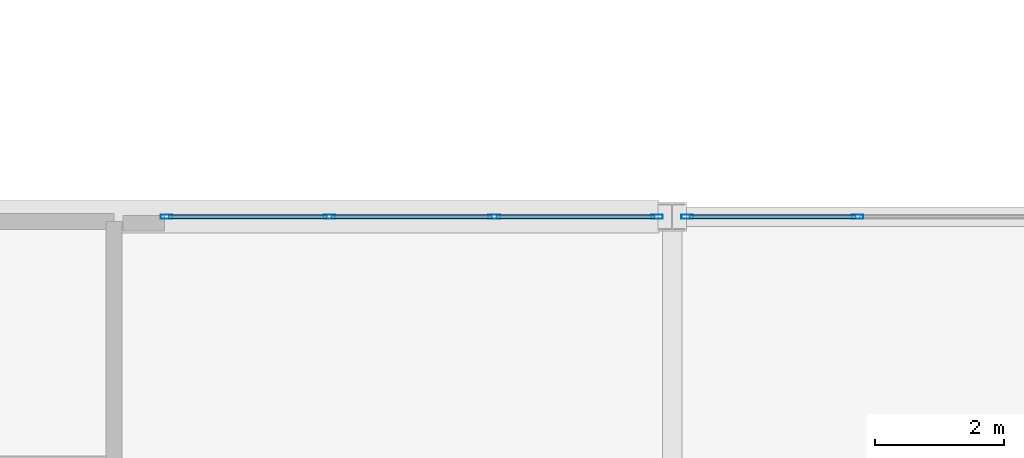
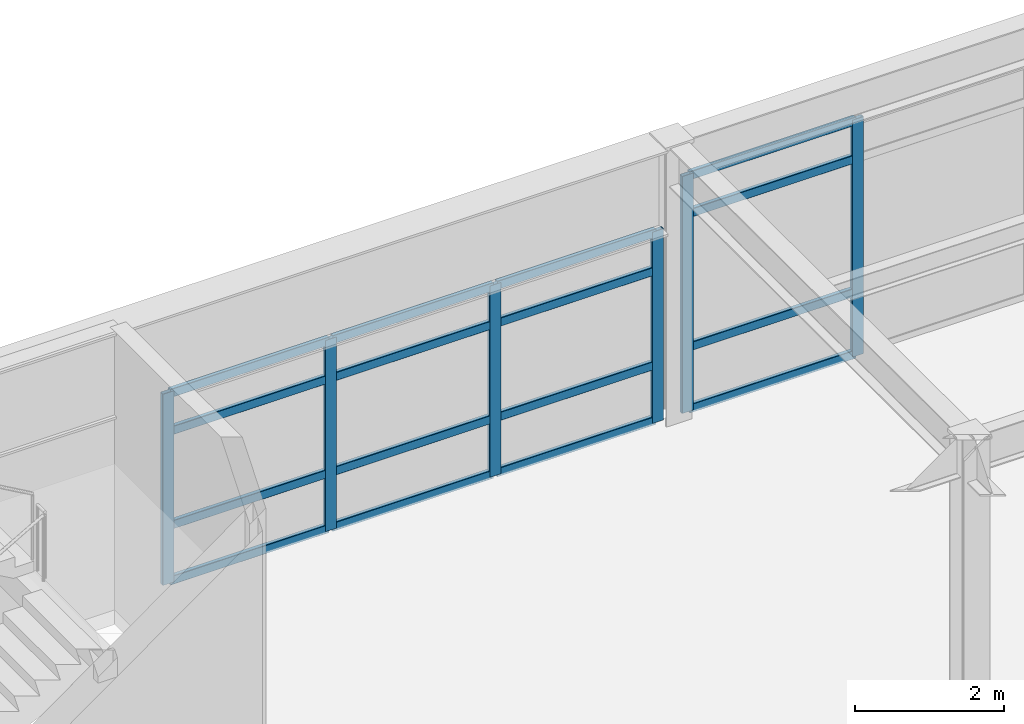
# One storey, part 36 of 93: 22 members, 2 elements without a shape of their own.
"""IFC4 building model written with IfcOpenShell, lengths in metres."""

from ifc_helpers import new_model, si_unit, direction, frame, origin, origin_2d, place, context, subcontext, project, spatial, hollow_rectangle, extrude, material, layer, layer_set, material_profile, profile_set, type_object, element, aggregate, save


model = new_model("IFC4")

# Units and contexts
model_context = context("Model", 3, precision=1e-05, world=origin(), true_north=direction((0.0, 1.0)))
body_context = subcontext(model_context, "Body", "Model", "MODEL_VIEW")
ifc_project = project(units=[si_unit("LENGTHUNIT", "METRE"), si_unit("AREAUNIT", "SQUARE_METRE"), si_unit("VOLUMEUNIT", "CUBIC_METRE"), si_unit("PLANEANGLEUNIT", "RADIAN"), si_unit("MASSUNIT", "GRAM", prefix="KILO")], contexts=[model_context])

# Site, building, storey
site_placement = place(None, origin())
site = spatial("IfcSite", under=ifc_project, at=site_placement, CompositionType="ELEMENT")
building_placement = place(site_placement, origin())
building = spatial("IfcBuilding", under=site, at=building_placement, Name="Kazehara Bluff Congress Hotel", CompositionType="ELEMENT")
storey_placement = place(building_placement, frame((0.0, 0.0, 15.0)))
storey = spatial("IfcBuildingStorey", under=building, at=storey_placement, Name="L03", CompositionType="ELEMENT", Elevation=15.0)

# Curtain wall, members
ifc_material_1 = material(Name="Anodised aluminium", Category="aluminium")
ifc_layer_1 = layer(ifc_material_1, 0.159912109375)
ifc_layer_set_1 = layer_set([ifc_layer_1], Name="Anodised aluminium")
curtain_wall_type_1 = type_object("IfcCurtainWallType", Name="TP-CW-75", PredefinedType="NOTDEFINED", material=ifc_layer_set_1)
curtain_wall_1_placement = place(storey_placement, origin())
curtain_wall_1 = element("IfcCurtainWall", 1, at=curtain_wall_1_placement, inside=storey, type_object=curtain_wall_type_1, Name="L03 curtain wall CW-75 CW-V4-L03-Y5645-8500", PredefinedType="NOTDEFINED")
ifc_material_2 = material(Name="Anodised aluminium", Category="aluminium")
ifc_material_profile_1 = material_profile(ifc_material_2, hollow_rectangle(XDim=0.06494140625, YDim=0.179931640625, WallThickness=0.00390625, InnerFilletRadius=0.00390625, OuterFilletRadius=0.008056640625, at=origin_2d()))
ifc_profile_set_1 = profile_set([ifc_material_profile_1], Name="Anodised aluminium")
member_type_1 = type_object("IfcMemberType", Name="TP-CWM-02", PredefinedType="MULLION", material=ifc_profile_set_1)
member_1_placement = place(storey_placement, frame((85.032470703125, 56.449951171875, 0.0), z_axis=(0.0, 0.0, 1.0), x_axis=(0.0, 1.0, 0.0)))
member_1 = element("IfcMember", 2, at=member_1_placement, type_object=member_type_1, Name="CW-75 mullion 1", PredefinedType="MULLION", context=body_context, shape_type="SweptSolid", body=[
    extrude(hollow_rectangle(XDim=0.06494140625, YDim=0.179931640625, WallThickness=0.00390625, InnerFilletRadius=0.00390625, OuterFilletRadius=0.008056640625, at=origin_2d()), origin(), (0.0, 0.0, 1.0), 3.135009765625),
])
member_2_placement = place(storey_placement, frame((87.550048828125, 56.449951171875, 0.0), z_axis=(0.0, 0.0, 1.0), x_axis=(0.0, 1.0, 0.0)))
member_2 = element("IfcMember", 3, at=member_2_placement, type_object=member_type_1, Name="CW-75 mullion 2", PredefinedType="MULLION", context=body_context, shape_type="SweptSolid", body=[
    extrude(hollow_rectangle(XDim=0.06494140625, YDim=0.179931640625, WallThickness=0.00390625, InnerFilletRadius=0.00390625, OuterFilletRadius=0.008056640625, at=origin_2d()), origin(), (0.0, 0.0, 1.0), 3.135009765625),
])
member_3_placement = place(storey_placement, frame((90.10009765625, 56.449951171875, 0.0), z_axis=(0.0, 0.0, 1.0), x_axis=(0.0, 1.0, 0.0)))
member_3 = element("IfcMember", 4, at=member_3_placement, type_object=member_type_1, Name="CW-75 mullion 3", PredefinedType="MULLION", context=body_context, shape_type="SweptSolid", body=[
    extrude(hollow_rectangle(XDim=0.06494140625, YDim=0.179931640625, WallThickness=0.00390625, InnerFilletRadius=0.00390625, OuterFilletRadius=0.008056640625, at=origin_2d()), origin(), (0.0, 0.0, 1.0), 3.135009765625),
])
member_4_placement = place(storey_placement, frame((92.617431640625, 56.449951171875, 0.0), z_axis=(0.0, 0.0, 1.0), x_axis=(0.0, 1.0, 0.0)))
member_4 = element("IfcMember", 5, at=member_4_placement, type_object=member_type_1, Name="CW-75 mullion 4", PredefinedType="MULLION", context=body_context, shape_type="SweptSolid", body=[
    extrude(hollow_rectangle(XDim=0.06494140625, YDim=0.179931640625, WallThickness=0.00390625, InnerFilletRadius=0.00390625, OuterFilletRadius=0.008056640625, at=origin_2d()), origin(), (0.0, 0.0, 1.0), 3.135009765625),
])

ifc_material_3 = material(Name="Anodised aluminium", Category="aluminium")
ifc_layer_2 = layer(ifc_material_3, 0.159912109375)
ifc_layer_set_2 = layer_set([ifc_layer_2], Name="Anodised aluminium")
curtain_wall_type_2 = type_object("IfcCurtainWallType", Name="TP-CW-76", PredefinedType="NOTDEFINED", material=ifc_layer_set_2)
curtain_wall_2_placement = place(storey_placement, origin())
curtain_wall_2 = element("IfcCurtainWall", 6, at=curtain_wall_2_placement, inside=storey, type_object=curtain_wall_type_2, Name="L03 curtain wall CW-76 CW-V4-L03-Y5645-9305", PredefinedType="NOTDEFINED")
member_5_placement = place(storey_placement, frame((93.08251953125, 56.449951171875, 0.0), z_axis=(0.0, 0.0, 1.0), x_axis=(0.0, 1.0, 0.0)))
member_5 = element("IfcMember", 7, at=member_5_placement, type_object=member_type_1, Name="CW-76 mullion 1", PredefinedType="MULLION", context=body_context, shape_type="SweptSolid", body=[
    extrude(hollow_rectangle(XDim=0.06494140625, YDim=0.179931640625, WallThickness=0.00390625, InnerFilletRadius=0.00390625, OuterFilletRadius=0.008056640625, at=origin_2d()), origin(), (0.0, 0.0, 1.0), 3.885009765625),
])
member_6_placement = place(storey_placement, frame((95.716552734375, 56.449951171875, 0.0), z_axis=(0.0, 0.0, 1.0), x_axis=(0.0, 1.0, 0.0)))
member_6 = element("IfcMember", 8, at=member_6_placement, type_object=member_type_1, Name="CW-76 mullion 2", PredefinedType="MULLION", context=body_context, shape_type="SweptSolid", body=[
    extrude(hollow_rectangle(XDim=0.06494140625, YDim=0.179931640625, WallThickness=0.00390625, InnerFilletRadius=0.00390625, OuterFilletRadius=0.008056640625, at=origin_2d()), origin(), (0.0, 0.0, 1.0), 3.885009765625),
])

# Member
ifc_material_4 = material(Name="Anodised aluminium", Category="aluminium")
ifc_material_profile_2 = material_profile(ifc_material_4, hollow_rectangle(XDim=0.06494140625, YDim=0.139892578125, WallThickness=0.00390625, InnerFilletRadius=0.00390625, OuterFilletRadius=0.008056640625, at=origin_2d()))
ifc_profile_set_2 = profile_set([ifc_material_profile_2], Name="Anodised aluminium")
member_type_2 = type_object("IfcMemberType", Name="TP-CWT-02", PredefinedType="USERDEFINED", material=ifc_profile_set_2)
member_7_placement = place(storey_placement, frame((85.06494140625, 56.449951171875, 0.032470703125), z_axis=(1.0, 0.0, 0.0), x_axis=(0.0, 1.0, 0.0)))
member_7 = element("IfcMember", 9, at=member_7_placement, type_object=member_type_2, Name="CW-75 transom 1.1", ObjectType="TRANSOM", PredefinedType="USERDEFINED", context=body_context, shape_type="SweptSolid", body=[
    extrude(hollow_rectangle(XDim=0.06494140625, YDim=0.139892578125, WallThickness=0.00390625, InnerFilletRadius=0.00390625, OuterFilletRadius=0.008056640625, at=origin_2d()), origin(), (0.0, 0.0, 1.0), 2.45263671875),
])

member_8_placement = place(storey_placement, frame((85.06494140625, 56.449951171875, 0.93994140625), z_axis=(1.0, 0.0, 0.0), x_axis=(0.0, 1.0, 0.0)))
member_8 = element("IfcMember", 10, at=member_8_placement, type_object=member_type_2, Name="CW-75 transom 1.2", ObjectType="TRANSOM", PredefinedType="USERDEFINED", context=body_context, shape_type="SweptSolid", body=[
    extrude(hollow_rectangle(XDim=0.06494140625, YDim=0.139892578125, WallThickness=0.00390625, InnerFilletRadius=0.00390625, OuterFilletRadius=0.008056640625, at=origin_2d()), origin(), (0.0, 0.0, 1.0), 2.45263671875),
])

member_9_placement = place(storey_placement, frame((85.06494140625, 56.449951171875, 2.485107421875), z_axis=(1.0, 0.0, 0.0), x_axis=(0.0, 1.0, 0.0)))
member_9 = element("IfcMember", 11, at=member_9_placement, type_object=member_type_2, Name="CW-75 transom 1.3", ObjectType="TRANSOM", PredefinedType="USERDEFINED", context=body_context, shape_type="SweptSolid", body=[
    extrude(hollow_rectangle(XDim=0.06494140625, YDim=0.139892578125, WallThickness=0.00390625, InnerFilletRadius=0.00390625, OuterFilletRadius=0.008056640625, at=origin_2d()), origin(), (0.0, 0.0, 1.0), 2.45263671875),
])

member_10_placement = place(storey_placement, frame((85.06494140625, 56.449951171875, 3.1025390625), z_axis=(1.0, 0.0, 0.0), x_axis=(0.0, 1.0, 0.0)))
member_10 = element("IfcMember", 12, at=member_10_placement, type_object=member_type_2, Name="CW-75 transom 1.4", ObjectType="TRANSOM", PredefinedType="USERDEFINED", context=body_context, shape_type="SweptSolid", body=[
    extrude(hollow_rectangle(XDim=0.06494140625, YDim=0.139892578125, WallThickness=0.00390625, InnerFilletRadius=0.00390625, OuterFilletRadius=0.008056640625, at=origin_2d()), origin(), (0.0, 0.0, 1.0), 2.45263671875),
])

member_11_placement = place(storey_placement, frame((87.58251953125, 56.449951171875, 0.032470703125), z_axis=(1.0, 0.0, 0.0), x_axis=(0.0, 1.0, 0.0)))
member_11 = element("IfcMember", 13, at=member_11_placement, type_object=member_type_2, Name="CW-75 transom 2.1", ObjectType="TRANSOM", PredefinedType="USERDEFINED", context=body_context, shape_type="SweptSolid", body=[
    extrude(hollow_rectangle(XDim=0.06494140625, YDim=0.139892578125, WallThickness=0.00390625, InnerFilletRadius=0.00390625, OuterFilletRadius=0.008056640625, at=origin_2d()), origin(), (0.0, 0.0, 1.0), 2.48486328125),
])

member_12_placement = place(storey_placement, frame((87.58251953125, 56.449951171875, 0.93994140625), z_axis=(1.0, 0.0, 0.0), x_axis=(0.0, 1.0, 0.0)))
member_12 = element("IfcMember", 14, at=member_12_placement, type_object=member_type_2, Name="CW-75 transom 2.2", ObjectType="TRANSOM", PredefinedType="USERDEFINED", context=body_context, shape_type="SweptSolid", body=[
    extrude(hollow_rectangle(XDim=0.06494140625, YDim=0.139892578125, WallThickness=0.00390625, InnerFilletRadius=0.00390625, OuterFilletRadius=0.008056640625, at=origin_2d()), origin(), (0.0, 0.0, 1.0), 2.48486328125),
])

member_13_placement = place(storey_placement, frame((87.58251953125, 56.449951171875, 2.485107421875), z_axis=(1.0, 0.0, 0.0), x_axis=(0.0, 1.0, 0.0)))
member_13 = element("IfcMember", 15, at=member_13_placement, type_object=member_type_2, Name="CW-75 transom 2.3", ObjectType="TRANSOM", PredefinedType="USERDEFINED", context=body_context, shape_type="SweptSolid", body=[
    extrude(hollow_rectangle(XDim=0.06494140625, YDim=0.139892578125, WallThickness=0.00390625, InnerFilletRadius=0.00390625, OuterFilletRadius=0.008056640625, at=origin_2d()), origin(), (0.0, 0.0, 1.0), 2.48486328125),
])

member_14_placement = place(storey_placement, frame((87.58251953125, 56.449951171875, 3.1025390625), z_axis=(1.0, 0.0, 0.0), x_axis=(0.0, 1.0, 0.0)))
member_14 = element("IfcMember", 16, at=member_14_placement, type_object=member_type_2, Name="CW-75 transom 2.4", ObjectType="TRANSOM", PredefinedType="USERDEFINED", context=body_context, shape_type="SweptSolid", body=[
    extrude(hollow_rectangle(XDim=0.06494140625, YDim=0.139892578125, WallThickness=0.00390625, InnerFilletRadius=0.00390625, OuterFilletRadius=0.008056640625, at=origin_2d()), origin(), (0.0, 0.0, 1.0), 2.48486328125),
])

member_15_placement = place(storey_placement, frame((90.132568359375, 56.449951171875, 0.032470703125), z_axis=(1.0, 0.0, 0.0), x_axis=(0.0, 1.0, 0.0)))
member_15 = element("IfcMember", 17, at=member_15_placement, type_object=member_type_2, Name="CW-75 transom 3.1", ObjectType="TRANSOM", PredefinedType="USERDEFINED", context=body_context, shape_type="SweptSolid", body=[
    extrude(hollow_rectangle(XDim=0.06494140625, YDim=0.139892578125, WallThickness=0.00390625, InnerFilletRadius=0.00390625, OuterFilletRadius=0.008056640625, at=origin_2d()), origin(), (0.0, 0.0, 1.0), 2.452392578125),
])

member_16_placement = place(storey_placement, frame((90.132568359375, 56.449951171875, 0.93994140625), z_axis=(1.0, 0.0, 0.0), x_axis=(0.0, 1.0, 0.0)))
member_16 = element("IfcMember", 18, at=member_16_placement, type_object=member_type_2, Name="CW-75 transom 3.2", ObjectType="TRANSOM", PredefinedType="USERDEFINED", context=body_context, shape_type="SweptSolid", body=[
    extrude(hollow_rectangle(XDim=0.06494140625, YDim=0.139892578125, WallThickness=0.00390625, InnerFilletRadius=0.00390625, OuterFilletRadius=0.008056640625, at=origin_2d()), origin(), (0.0, 0.0, 1.0), 2.452392578125),
])

member_17_placement = place(storey_placement, frame((90.132568359375, 56.449951171875, 2.485107421875), z_axis=(1.0, 0.0, 0.0), x_axis=(0.0, 1.0, 0.0)))
member_17 = element("IfcMember", 19, at=member_17_placement, type_object=member_type_2, Name="CW-75 transom 3.3", ObjectType="TRANSOM", PredefinedType="USERDEFINED", context=body_context, shape_type="SweptSolid", body=[
    extrude(hollow_rectangle(XDim=0.06494140625, YDim=0.139892578125, WallThickness=0.00390625, InnerFilletRadius=0.00390625, OuterFilletRadius=0.008056640625, at=origin_2d()), origin(), (0.0, 0.0, 1.0), 2.452392578125),
])

member_18_placement = place(storey_placement, frame((90.132568359375, 56.449951171875, 3.1025390625), z_axis=(1.0, 0.0, 0.0), x_axis=(0.0, 1.0, 0.0)))
member_18 = element("IfcMember", 20, at=member_18_placement, type_object=member_type_2, Name="CW-75 transom 3.4", ObjectType="TRANSOM", PredefinedType="USERDEFINED", context=body_context, shape_type="SweptSolid", body=[
    extrude(hollow_rectangle(XDim=0.06494140625, YDim=0.139892578125, WallThickness=0.00390625, InnerFilletRadius=0.00390625, OuterFilletRadius=0.008056640625, at=origin_2d()), origin(), (0.0, 0.0, 1.0), 2.452392578125),
])

aggregate(curtain_wall_1, [member_1, member_2, member_3, member_4, member_7, member_8, member_9, member_10, member_11, member_12, member_13, member_14, member_15, member_16, member_17, member_18])

member_19_placement = place(storey_placement, frame((93.114990234375, 56.449951171875, 0.032470703125), z_axis=(1.0, 0.0, 0.0), x_axis=(0.0, 1.0, 0.0)))
member_19 = element("IfcMember", 21, at=member_19_placement, type_object=member_type_2, Name="CW-76 transom 1.1", ObjectType="TRANSOM", PredefinedType="USERDEFINED", context=body_context, shape_type="SweptSolid", body=[
    extrude(hollow_rectangle(XDim=0.06494140625, YDim=0.139892578125, WallThickness=0.00390625, InnerFilletRadius=0.00390625, OuterFilletRadius=0.008056640625, at=origin_2d()), origin(), (0.0, 0.0, 1.0), 2.569091796875),
])

member_20_placement = place(storey_placement, frame((93.114990234375, 56.449951171875, 1.050048828125), z_axis=(1.0, 0.0, 0.0), x_axis=(0.0, 1.0, 0.0)))
member_20 = element("IfcMember", 22, at=member_20_placement, type_object=member_type_2, Name="CW-76 transom 1.2", ObjectType="TRANSOM", PredefinedType="USERDEFINED", context=body_context, shape_type="SweptSolid", body=[
    extrude(hollow_rectangle(XDim=0.06494140625, YDim=0.139892578125, WallThickness=0.00390625, InnerFilletRadius=0.00390625, OuterFilletRadius=0.008056640625, at=origin_2d()), origin(), (0.0, 0.0, 1.0), 2.569091796875),
])

member_21_placement = place(storey_placement, frame((93.114990234375, 56.449951171875, 3.235107421875), z_axis=(1.0, 0.0, 0.0), x_axis=(0.0, 1.0, 0.0)))
member_21 = element("IfcMember", 23, at=member_21_placement, type_object=member_type_2, Name="CW-76 transom 1.3", ObjectType="TRANSOM", PredefinedType="USERDEFINED", context=body_context, shape_type="SweptSolid", body=[
    extrude(hollow_rectangle(XDim=0.06494140625, YDim=0.139892578125, WallThickness=0.00390625, InnerFilletRadius=0.00390625, OuterFilletRadius=0.008056640625, at=origin_2d()), origin(), (0.0, 0.0, 1.0), 2.569091796875),
])

member_22_placement = place(storey_placement, frame((93.114990234375, 56.449951171875, 3.8525390625), z_axis=(1.0, 0.0, 0.0), x_axis=(0.0, 1.0, 0.0)))
member_22 = element("IfcMember", 24, at=member_22_placement, type_object=member_type_2, Name="CW-76 transom 1.4", ObjectType="TRANSOM", PredefinedType="USERDEFINED", context=body_context, shape_type="SweptSolid", body=[
    extrude(hollow_rectangle(XDim=0.06494140625, YDim=0.139892578125, WallThickness=0.00390625, InnerFilletRadius=0.00390625, OuterFilletRadius=0.008056640625, at=origin_2d()), origin(), (0.0, 0.0, 1.0), 2.569091796875),
])

aggregate(curtain_wall_2, [member_5, member_6, member_19, member_20, member_21, member_22])

save(model, "model.ifc")
